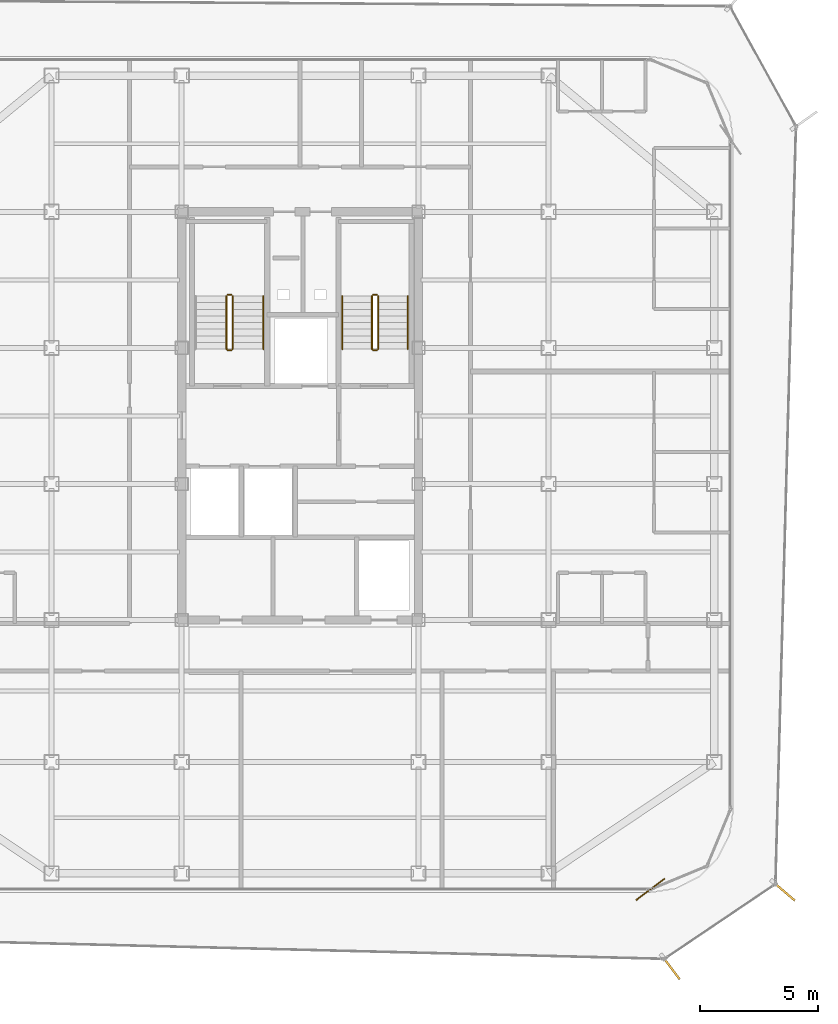
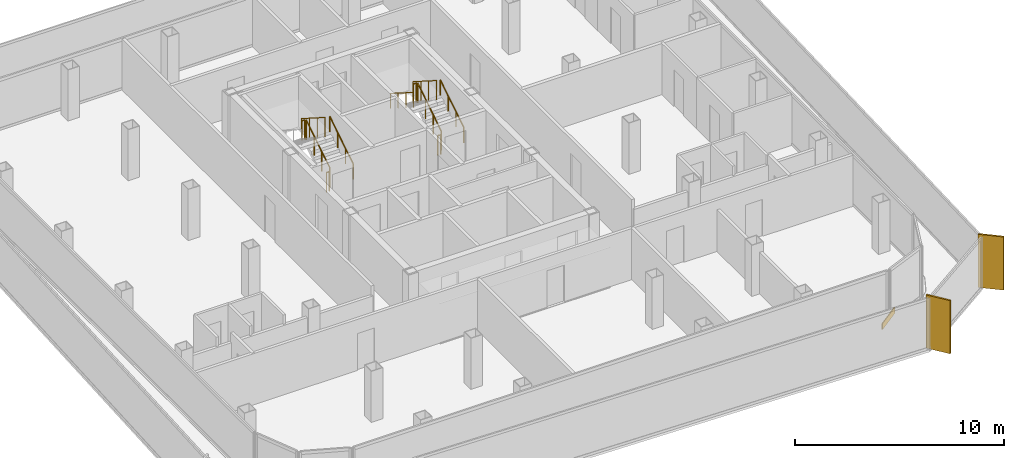
# One storey, part 14 of 15: 11 railings, 2 shading devices, 1 covering.
"""IFC4 building model written with IfcOpenShell, lengths in metres."""

from ifc_helpers import new_model, si_unit, direction, frame, origin, origin_2d, place, context, subcontext, project, spatial, rectangle, circle, extrude, source, transform, mapped, material, layer, layer_set, type_object, element, save


model = new_model("IFC4")

# Units and contexts
model_context = context("Model", 3, precision=1e-05, world=origin(), true_north=direction((0.0, 1.0)))
body_context = subcontext(model_context, "Body", "Model", "MODEL_VIEW")
ifc_project = project(units=[si_unit("LENGTHUNIT", "METRE"), si_unit("AREAUNIT", "SQUARE_METRE"), si_unit("VOLUMEUNIT", "CUBIC_METRE"), si_unit("PLANEANGLEUNIT", "RADIAN"), si_unit("MASSUNIT", "GRAM", prefix="KILO")], contexts=[model_context])

# Site, building, storey
site_placement = place(None, origin())
site = spatial("IfcSite", under=ifc_project, at=site_placement, CompositionType="ELEMENT")
building_placement = place(site_placement, origin())
building = spatial("IfcBuilding", under=site, at=building_placement, Name="Kolveth Station Tower", CompositionType="ELEMENT")
storey_placement = place(building_placement, frame((0.0, 0.0, 268.10009765625)))
storey = spatial("IfcBuildingStorey", under=building, at=storey_placement, Name="L77", CompositionType="ELEMENT", Elevation=268.10009765625)

# Railings
ifc_material_1 = material(Name="Painted Steel S355 balustrade", Category="steel")
railing_type_1 = type_object("IfcRailingType", Name="Guard_GR2", PredefinedType="BALUSTRADE", material=ifc_material_1)
railing_1_placement = place(storey_placement, frame((20.64990234375, 22.949951171875, 0.177734375)))
element("IfcRailing", 1, at=railing_1_placement, inside=storey, type_object=railing_type_1, Name="L77 ST1 stair guard 1", PredefinedType="BALUSTRADE", context=body_context, shape_type="SweptSolid", body=[
    extrude(circle(Radius=0.02392578125, at=origin_2d()), frame((0.0, 0.0, 1.1259765625), z_axis=(0.0, 0.8442293374, 0.53598211339), x_axis=(-1.0, 0.0, 0.0)), (0.0, 0.0, 1.0), 2.6533203125),
    extrude(circle(Radius=0.02099609375, at=origin_2d()), origin(), (0.0, 0.0, 1.0), 1.101806640625),
    extrude(circle(Radius=0.02099609375, at=origin_2d()), frame((0.0, 0.74658203125, 0.47412109375)), (0.0, 0.0, 1.0), 1.101806640625),
    extrude(circle(Radius=0.02099609375, at=origin_2d()), frame((0.0, 1.493408203125, 0.947998046875)), (0.0, 0.0, 1.0), 1.101806640625),
    extrude(circle(Radius=0.02099609375, at=origin_2d()), frame((0.0, 2.239990234375, 1.422119140625)), (0.0, 0.0, 1.0), 1.101806640625),
])
railing_2_placement = place(storey_placement, frame((20.60009765625, 25.239990234375, 1.599853515625)))
element("IfcRailing", 2, at=railing_2_placement, inside=storey, type_object=railing_type_1, Name="L77 ST1 stair guard 2", PredefinedType="BALUSTRADE", context=body_context, shape_type="SweptSolid", body=[
    extrude(circle(Radius=0.02392578125, at=origin_2d()), frame((0.0, 0.0, 1.1259765625), z_axis=(-1.0, 0.0, 0.0), x_axis=(0.0, -1.0, 0.0)), (0.0, 0.0, 1.0), 0.16015625),
    extrude(circle(Radius=0.02099609375, at=origin_2d()), origin(), (0.0, 0.0, 1.0), 1.101806640625),
    extrude(circle(Radius=0.02099609375, at=origin_2d()), frame((-0.16015625, 0.0, 0.0)), (0.0, 0.0, 1.0), 1.101806640625),
])
railing_3_placement = place(storey_placement, frame((20.389892578125, 25.18994140625, 1.777587890625)))
element("IfcRailing", 3, at=railing_3_placement, inside=storey, type_object=railing_type_1, Name="L77 ST1 stair guard 3", PredefinedType="BALUSTRADE", context=body_context, shape_type="SweptSolid", body=[
    extrude(circle(Radius=0.02392578125, at=origin_2d()), frame((0.0, 0.0, 1.1259765625), z_axis=(0.0, -0.84418770128, 0.536047689118), x_axis=(1.0, 0.0, 0.0)), (0.0, 0.0, 1.0), 2.6533203125),
    extrude(circle(Radius=0.02099609375, at=origin_2d()), origin(), (0.0, 0.0, 1.0), 1.101806640625),
    extrude(circle(Radius=0.02099609375, at=origin_2d()), frame((0.0, -0.74658203125, 0.47412109375)), (0.0, 0.0, 1.0), 1.101806640625),
    extrude(circle(Radius=0.02099609375, at=origin_2d()), frame((0.0, -1.493408203125, 0.9482421875)), (0.0, 0.0, 1.0), 1.101806640625),
    extrude(circle(Radius=0.02099609375, at=origin_2d()), frame((0.0, -2.239990234375, 1.42236328125)), (0.0, 0.0, 1.0), 1.101806640625),
])
railing_4_placement = place(storey_placement, frame((20.60009765625, 22.89990234375, 0.0)))
element("IfcRailing", 4, at=railing_4_placement, inside=storey, type_object=railing_type_1, Name="L77 ST1 stair guard 4", PredefinedType="BALUSTRADE", context=body_context, shape_type="SweptSolid", body=[
    extrude(circle(Radius=0.02392578125, at=origin_2d()), frame((0.0, 0.0, 1.1259765625), z_axis=(-1.0, 0.0, 0.0), x_axis=(0.0, -1.0, 0.0)), (0.0, 0.0, 1.0), 0.16015625),
    extrude(circle(Radius=0.02099609375, at=origin_2d()), origin(), (0.0, 0.0, 1.0), 1.101806640625),
    extrude(circle(Radius=0.02099609375, at=origin_2d()), frame((-0.16015625, 0.0, 0.0)), (0.0, 0.0, 1.0), 1.101806640625),
])
railing_5_placement = place(storey_placement, frame((26.800048828125, 22.949951171875, 0.177734375)))
element("IfcRailing", 5, at=railing_5_placement, inside=storey, type_object=railing_type_1, Name="L77 ST2 stair guard 1", PredefinedType="BALUSTRADE", context=body_context, shape_type="SweptSolid", body=[
    extrude(circle(Radius=0.02392578125, at=origin_2d()), frame((0.0, 0.0, 1.1259765625), z_axis=(0.0, 0.8442293374, 0.53598211339), x_axis=(-1.0, 0.0, 0.0)), (0.0, 0.0, 1.0), 2.6533203125),
    extrude(circle(Radius=0.02099609375, at=origin_2d()), origin(), (0.0, 0.0, 1.0), 1.101806640625),
    extrude(circle(Radius=0.02099609375, at=origin_2d()), frame((0.0, 0.74658203125, 0.47412109375)), (0.0, 0.0, 1.0), 1.101806640625),
    extrude(circle(Radius=0.02099609375, at=origin_2d()), frame((0.0, 1.493408203125, 0.947998046875)), (0.0, 0.0, 1.0), 1.101806640625),
    extrude(circle(Radius=0.02099609375, at=origin_2d()), frame((0.0, 2.239990234375, 1.422119140625)), (0.0, 0.0, 1.0), 1.101806640625),
])
railing_6_placement = place(storey_placement, frame((26.75, 25.239990234375, 1.599853515625)))
element("IfcRailing", 6, at=railing_6_placement, inside=storey, type_object=railing_type_1, Name="L77 ST2 stair guard 2", PredefinedType="BALUSTRADE", context=body_context, shape_type="SweptSolid", body=[
    extrude(circle(Radius=0.02392578125, at=origin_2d()), frame((0.0, 0.0, 1.1259765625), z_axis=(-1.0, 0.0, 0.0), x_axis=(0.0, -1.0, 0.0)), (0.0, 0.0, 1.0), 0.159912109375),
    extrude(circle(Radius=0.02099609375, at=origin_2d()), origin(), (0.0, 0.0, 1.0), 1.101806640625),
    extrude(circle(Radius=0.02099609375, at=origin_2d()), frame((-0.159912109375, 0.0, 0.0)), (0.0, 0.0, 1.0), 1.101806640625),
])
railing_7_placement = place(storey_placement, frame((26.5400390625, 25.18994140625, 1.777587890625)))
element("IfcRailing", 7, at=railing_7_placement, inside=storey, type_object=railing_type_1, Name="L77 ST2 stair guard 3", PredefinedType="BALUSTRADE", context=body_context, shape_type="SweptSolid", body=[
    extrude(circle(Radius=0.02392578125, at=origin_2d()), frame((0.0, 0.0, 1.1259765625), z_axis=(0.0, -0.84418770128, 0.536047689118), x_axis=(1.0, 0.0, 0.0)), (0.0, 0.0, 1.0), 2.6533203125),
    extrude(circle(Radius=0.02099609375, at=origin_2d()), origin(), (0.0, 0.0, 1.0), 1.101806640625),
    extrude(circle(Radius=0.02099609375, at=origin_2d()), frame((0.0, -0.74658203125, 0.47412109375)), (0.0, 0.0, 1.0), 1.101806640625),
    extrude(circle(Radius=0.02099609375, at=origin_2d()), frame((0.0, -1.493408203125, 0.9482421875)), (0.0, 0.0, 1.0), 1.101806640625),
    extrude(circle(Radius=0.02099609375, at=origin_2d()), frame((0.0, -2.239990234375, 1.42236328125)), (0.0, 0.0, 1.0), 1.101806640625),
])
railing_8_placement = place(storey_placement, frame((26.75, 22.89990234375, 0.0)))
element("IfcRailing", 8, at=railing_8_placement, inside=storey, type_object=railing_type_1, Name="L77 ST2 stair guard 4", PredefinedType="BALUSTRADE", context=body_context, shape_type="SweptSolid", body=[
    extrude(circle(Radius=0.02392578125, at=origin_2d()), frame((0.0, 0.0, 1.1259765625), z_axis=(-1.0, 0.0, 0.0), x_axis=(0.0, -1.0, 0.0)), (0.0, 0.0, 1.0), 0.159912109375),
    extrude(circle(Radius=0.02099609375, at=origin_2d()), origin(), (0.0, 0.0, 1.0), 1.101806640625),
    extrude(circle(Radius=0.02099609375, at=origin_2d()), frame((-0.159912109375, 0.0, 0.0)), (0.0, 0.0, 1.0), 1.101806640625),
])
ifc_material_2 = material(Name="Brushed stainless steel", Category="steel")
railing_type_2 = type_object("IfcRailingType", Name="Handrail_HR1", PredefinedType="HANDRAIL", material=ifc_material_2)
for number, where, name in (
    (9, (21.949951171875, 22.949951171875, 0.177734375), "L77 ST1 stair handrail 1"),
    (10, (28.050048828125, 22.949951171875, 0.177734375), "L77 ST2 stair handrail 1"),
):
    element("IfcRailing", number, at=place(storey_placement, frame(where)), inside=storey, type_object=railing_type_2, Name=name, PredefinedType="HANDRAIL", context=body_context, shape_type="SweptSolid", body=[
        extrude(circle(Radius=0.02392578125, at=origin_2d()), frame((0.0, 0.0, 0.8759765625), z_axis=(0.0, 0.8442293374, 0.53598211339), x_axis=(-1.0, 0.0, 0.0)), (0.0, 0.0, 1.0), 2.6533203125),
        extrude(circle(Radius=0.02099609375, at=origin_2d()), origin(), (0.0, 0.0, 1.0), 0.851806640625),
        extrude(circle(Radius=0.02099609375, at=origin_2d()), frame((0.0, 0.74658203125, 0.47412109375)), (0.0, 0.0, 1.0), 0.851806640625),
        extrude(circle(Radius=0.02099609375, at=origin_2d()), frame((0.0, 1.493408203125, 0.947998046875)), (0.0, 0.0, 1.0), 0.851806640625),
        extrude(circle(Radius=0.02099609375, at=origin_2d()), frame((0.0, 2.239990234375, 1.422119140625)), (0.0, 0.0, 1.0), 0.851806640625),
    ])
railing_9_placement = place(storey_placement, frame((25.2900390625, 25.18994140625, 1.777587890625)))
element("IfcRailing", 11, at=railing_9_placement, inside=storey, type_object=railing_type_2, Name="L77 ST2 stair handrail 2", PredefinedType="HANDRAIL", context=body_context, shape_type="SweptSolid", body=[
    extrude(circle(Radius=0.02392578125, at=origin_2d()), frame((0.0, 0.0, 0.8759765625), z_axis=(0.0, -0.84418770128, 0.536047689118), x_axis=(1.0, 0.0, 0.0)), (0.0, 0.0, 1.0), 2.6533203125),
    extrude(circle(Radius=0.02099609375, at=origin_2d()), origin(), (0.0, 0.0, 1.0), 0.851806640625),
    extrude(circle(Radius=0.02099609375, at=origin_2d()), frame((0.0, -0.74658203125, 0.47412109375)), (0.0, 0.0, 1.0), 0.851806640625),
    extrude(circle(Radius=0.02099609375, at=origin_2d()), frame((0.0, -1.493408203125, 0.9482421875)), (0.0, 0.0, 1.0), 0.851806640625),
    extrude(circle(Radius=0.02099609375, at=origin_2d()), frame((0.0, -2.239990234375, 1.42236328125)), (0.0, 0.0, 1.0), 0.851806640625),
])

# Shading devices
ifc_material_3 = material(Name="Black anodized aluminium 6063-T6", Category="aluminium")
shading_device_type = type_object("IfcShadingDeviceType", Name="FIN_VF1", PredefinedType="USERDEFINED", material=ifc_material_3)
shared_shape_1 = source(origin(), body_context, "Body", "SweptSolid", [
    extrude(rectangle(XDim=1.25, YDim=0.090087890625, at=origin_2d()), origin(), (0.0, 0.0, 1.0), 3.10009765625),
])
for number, where, z_axis, x_axis, name in (
    (12, (39.1650390625, -3.178955078125, -0.000244140625), (0.0, 0.0, 1.0), (0.601117853128, -0.799160388565, 0.0), "L77 Dark-Aluminium Solar Fin 1"),
    (13, (43.929931640625, 0.055908203125, -0.000244140625), (0.0, 0.0, 1.0), (0.757792794364, -0.652495272634, 0.0), "L77 Dark-Aluminium Solar Fin 2"),
):
    element("IfcShadingDevice", number, at=place(storey_placement, frame(where, z_axis=z_axis, x_axis=x_axis)), inside=storey, type_object=shading_device_type, Name=name, ObjectType="FIN", PredefinedType="USERDEFINED", context=body_context, shape_type="MappedRepresentation", body=[
        mapped(shared_shape_1, transform((0.0, 0.0, 0.0), x_axis=(1.0, 0.0, 0.0), y_axis=(0.0, 1.0, 0.0), z_axis=(0.0, 0.0, 1.0), scale=1.0)),
    ])

# Covering
ifc_material_4 = material(Name="Charcoal anodized aluminium spandrel cladding", Category="aluminium")
ifc_layer = layer(ifc_material_4, 0.044921875)
ifc_layer_set = layer_set([ifc_layer], Name="Charcoal anodized aluminium spandrel cladding")
covering_type = type_object("IfcCoveringType", Name="Clad_CD1", PredefinedType="CLADDING", material=ifc_layer_set)
shared_shape_2 = source(origin(), body_context, "Body", "SweptSolid", [
    extrude(rectangle(XDim=1.5, YDim=0.044921875, at=origin_2d()), origin(), (0.0, 0.0, 1.0), 0.360107421875),
])
covering_placement = place(storey_placement, frame((38.300048828125, 0.1201171875, 0.0), z_axis=(0.0, 0.0, 1.0), x_axis=(0.799160388565, 0.601117853128, 0.0)))
element("IfcCovering", 14, at=covering_placement, inside=storey, type_object=covering_type, Name="L77 Spandrel Edge Cladding 1", PredefinedType="CLADDING", context=body_context, shape_type="MappedRepresentation", body=[
    mapped(shared_shape_2, transform((0.0, 0.0, 0.0), x_axis=(1.0, 0.0, 0.0), y_axis=(0.0, 1.0, 0.0), z_axis=(0.0, 0.0, 1.0), scale=1.0)),
])

save(model, "model.ifc")
